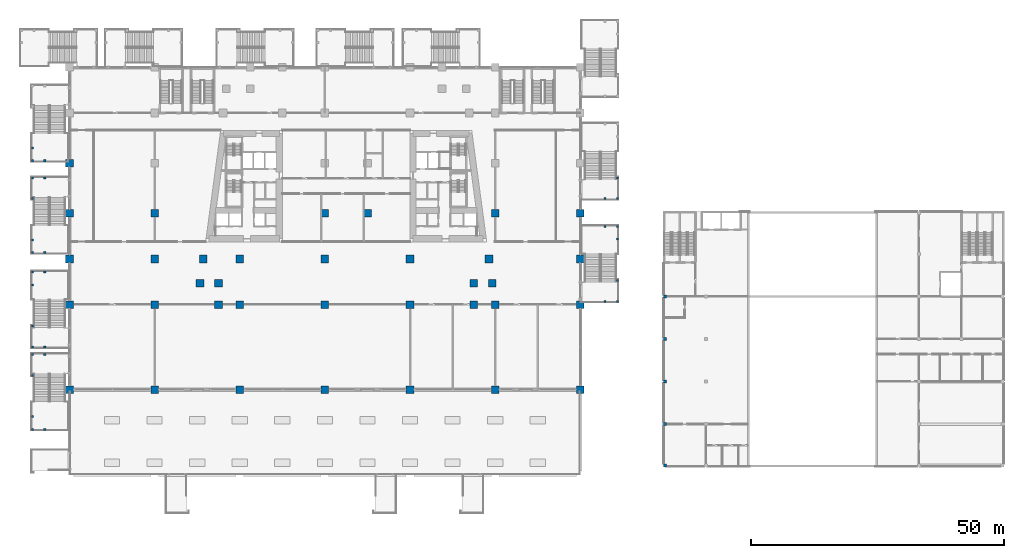
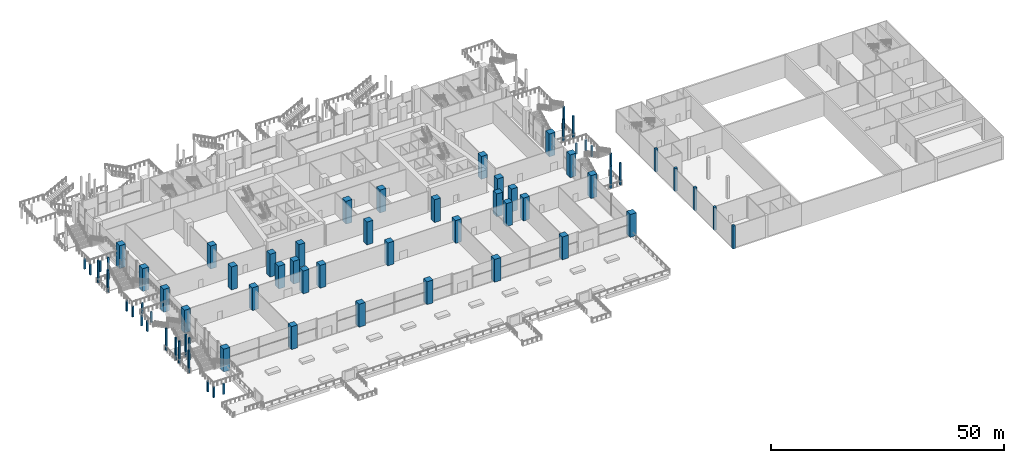
# One storey, part 1 of 47: 70 columns.
"""IFC4 building model written with IfcOpenShell, lengths in metres."""

from ifc_helpers import new_model, si_unit, direction, frame, origin, origin_2d, place, context, subcontext, project, spatial, rectangle, extrude, material, material_profile, profile_set, type_object, element, save


model = new_model("IFC4")

# Units and contexts
model_context = context("Model", 3, precision=1e-05, world=origin(), true_north=direction((0.0, 1.0)))
body_context = subcontext(model_context, "Body", "Model", "MODEL_VIEW")
ifc_project = project(units=[si_unit("LENGTHUNIT", "METRE"), si_unit("AREAUNIT", "SQUARE_METRE"), si_unit("VOLUMEUNIT", "CUBIC_METRE"), si_unit("PLANEANGLEUNIT", "RADIAN"), si_unit("MASSUNIT", "GRAM", prefix="KILO")], contexts=[model_context])

# Site, building, storey
site_placement = place(None, origin())
site = spatial("IfcSite", under=ifc_project, at=site_placement, CompositionType="ELEMENT")
building_placement = place(site_placement, origin())
building = spatial("IfcBuilding", under=site, at=building_placement, Name="Candeia Pilgrim Tower and Theatre", CompositionType="ELEMENT")
storey_placement = place(building_placement, frame((0.0, 0.0, 23.0)))
storey = spatial("IfcBuildingStorey", under=building, at=storey_placement, Name="L03", CompositionType="ELEMENT", Elevation=23.0)

# Columns
ifc_material_1 = material(Name="Concrete C40/50", Category="concrete")
ifc_material_profile_1 = material_profile(ifc_material_1, rectangle(XDim=0.39990234375, YDim=0.39990234375, at=origin_2d()))
ifc_profile_set_1 = profile_set([ifc_material_profile_1], Name="Concrete C40/50")
column_type_1 = type_object("IfcColumnType", Name="Escape stair column RC 400x400", PredefinedType="COLUMN", material=ifc_profile_set_1)
for number, where, z_axis, x_axis, name in (
    (1, (166.89990234375, 98.64990234375, 0.0), (0.0, 0.0, 1.0), (1.0, 0.0, 0.0), "External escape stair ES1 column N1.4"),
    (2, (166.89990234375, 102.75, 0.0), (0.0, 0.0, 1.0), (1.0, 0.0, 0.0), "External escape stair ES1 column N2.4"),
    (3, (164.47509765625, 98.64990234375, 0.0), (0.0, 0.0, 1.0), (1.0, 0.0, 0.0), "External escape stair ES1 column N3.4"),
):
    element("IfcColumn", number, at=place(storey_placement, frame(where, z_axis=z_axis, x_axis=x_axis)), inside=storey, type_object=column_type_1, Name=name, PredefinedType="COLUMN", context=body_context, shape_type="SweptSolid", body=[
        extrude(rectangle(XDim=0.39990234375, YDim=0.39990234375, at=origin_2d()), origin(), (0.0, 0.0, 1.0), 5.800048828125),
    ])
for number, where, z_axis, x_axis, name in (
    (4, (166.89990234375, 110.909912109375, 0.0), (0.0, 0.0, 1.0), (1.0, 0.0, 0.0), "External escape stair ES1 column F1.4"),
    (5, (166.89990234375, 113.409912109375, 0.0), (0.0, 0.0, 1.0), (1.0, 0.0, 0.0), "External escape stair ES1 column F2.4"),
    (6, (164.47509765625, 113.409912109375, 0.0), (0.0, 0.0, 1.0), (1.0, 0.0, 0.0), "External escape stair ES1 column F3.4"),
):
    element("IfcColumn", number, at=place(storey_placement, frame(where, z_axis=z_axis, x_axis=x_axis)), inside=storey, type_object=column_type_1, Name=name, PredefinedType="COLUMN", context=body_context, shape_type="SweptSolid", body=[
        extrude(rectangle(XDim=0.39990234375, YDim=0.39990234375, at=origin_2d()), origin(), (0.0, 0.0, 1.0), 2.800048828125),
    ])
for number, where, z_axis, x_axis, name in (
    (7, (51.5, 88.14990234375, 0.0), (0.0, 0.0, 1.0), (1.0, 0.0, 0.0), "External escape stair ES11 column N1.4"),
    (8, (51.5, 84.050048828125, 0.0), (0.0, 0.0, 1.0), (1.0, 0.0, 0.0), "External escape stair ES11 column N2.4"),
    (9, (53.925048828125, 88.14990234375, 0.0), (0.0, 0.0, 1.0), (1.0, 0.0, 0.0), "External escape stair ES11 column N3.4"),
):
    element("IfcColumn", number, at=place(storey_placement, frame(where, z_axis=z_axis, x_axis=x_axis)), inside=storey, type_object=column_type_1, Name=name, PredefinedType="COLUMN", context=body_context, shape_type="SweptSolid", body=[
        extrude(rectangle(XDim=0.39990234375, YDim=0.39990234375, at=origin_2d()), origin(), (0.0, 0.0, 1.0), 5.800048828125),
    ])
for number, where, z_axis, x_axis, name in (
    (10, (51.5, 75.889892578125, 0.0), (0.0, 0.0, 1.0), (1.0, 0.0, 0.0), "External escape stair ES11 column F1.4"),
    (11, (51.5, 73.389892578125, 0.0), (0.0, 0.0, 1.0), (1.0, 0.0, 0.0), "External escape stair ES11 column F2.4"),
    (12, (53.925048828125, 73.389892578125, 0.0), (0.0, 0.0, 1.0), (1.0, 0.0, 0.0), "External escape stair ES11 column F3.4"),
):
    element("IfcColumn", number, at=place(storey_placement, frame(where, z_axis=z_axis, x_axis=x_axis)), inside=storey, type_object=column_type_1, Name=name, PredefinedType="COLUMN", context=body_context, shape_type="SweptSolid", body=[
        extrude(rectangle(XDim=0.39990234375, YDim=0.39990234375, at=origin_2d()), origin(), (0.0, 0.0, 1.0), 2.800048828125),
    ])
for number, where, z_axis, x_axis, name in (
    (13, (51.5, 89.64990234375, 0.0), (0.0, 0.0, 1.0), (1.0, 0.0, 0.0), "External escape stair ES12 column N1.4"),
    (14, (51.5, 93.75, 0.0), (0.0, 0.0, 1.0), (1.0, 0.0, 0.0), "External escape stair ES12 column N2.4"),
    (15, (53.925048828125, 89.64990234375, 0.0), (0.0, 0.0, 1.0), (1.0, 0.0, 0.0), "External escape stair ES12 column N3.4"),
):
    element("IfcColumn", number, at=place(storey_placement, frame(where, z_axis=z_axis, x_axis=x_axis)), inside=storey, type_object=column_type_1, Name=name, PredefinedType="COLUMN", context=body_context, shape_type="SweptSolid", body=[
        extrude(rectangle(XDim=0.39990234375, YDim=0.39990234375, at=origin_2d()), origin(), (0.0, 0.0, 1.0), 5.800048828125),
    ])
for number, where, z_axis, x_axis, name in (
    (16, (51.5, 101.909912109375, 0.0), (0.0, 0.0, 1.0), (1.0, 0.0, 0.0), "External escape stair ES12 column F1.4"),
    (17, (51.5, 104.409912109375, 0.0), (0.0, 0.0, 1.0), (1.0, 0.0, 0.0), "External escape stair ES12 column F2.4"),
    (18, (53.925048828125, 104.409912109375, 0.0), (0.0, 0.0, 1.0), (1.0, 0.0, 0.0), "External escape stair ES12 column F3.4"),
    (19, (51.5, 128.889892578125, 0.0), (0.0, 0.0, 1.0), (1.0, 0.0, 0.0), "External escape stair ES13 column F1.4"),
    (20, (51.5, 126.389892578125, 0.0), (0.0, 0.0, 1.0), (1.0, 0.0, 0.0), "External escape stair ES13 column F2.4"),
    (21, (53.925048828125, 126.389892578125, 0.0), (0.0, 0.0, 1.0), (1.0, 0.0, 0.0), "External escape stair ES13 column F3.4"),
):
    element("IfcColumn", number, at=place(storey_placement, frame(where, z_axis=z_axis, x_axis=x_axis)), inside=storey, type_object=column_type_1, Name=name, PredefinedType="COLUMN", context=body_context, shape_type="SweptSolid", body=[
        extrude(rectangle(XDim=0.39990234375, YDim=0.39990234375, at=origin_2d()), origin(), (0.0, 0.0, 1.0), 2.800048828125),
    ])
for number, where, z_axis, x_axis, name in (
    (22, (166.89990234375, 118.89990234375, 0.0), (0.0, 0.0, 1.0), (1.0, 0.0, 0.0), "External escape stair ES14 column N1.4"),
    (23, (166.89990234375, 123.0, 0.0), (0.0, 0.0, 1.0), (1.0, 0.0, 0.0), "External escape stair ES14 column N2.4"),
    (24, (164.47509765625, 118.89990234375, 0.0), (0.0, 0.0, 1.0), (1.0, 0.0, 0.0), "External escape stair ES14 column N3.4"),
    (25, (51.5, 123.0, 0.0), (0.0, 0.0, 1.0), (1.0, 0.0, 0.0), "External escape stair ES15 column N1.4"),
    (26, (51.5, 118.89990234375, 0.0), (0.0, 0.0, 1.0), (1.0, 0.0, 0.0), "External escape stair ES15 column N2.4"),
    (27, (53.925048828125, 123.0, 0.0), (0.0, 0.0, 1.0), (1.0, 0.0, 0.0), "External escape stair ES15 column N3.4"),
):
    element("IfcColumn", number, at=place(storey_placement, frame(where, z_axis=z_axis, x_axis=x_axis)), inside=storey, type_object=column_type_1, Name=name, PredefinedType="COLUMN", context=body_context, shape_type="SweptSolid", body=[
        extrude(rectangle(XDim=0.39990234375, YDim=0.39990234375, at=origin_2d()), origin(), (0.0, 0.0, 1.0), 5.800048828125),
    ])
for number, where, z_axis, x_axis, name in (
    (28, (51.5, 110.739990234375, 0.0), (0.0, 0.0, 1.0), (1.0, 0.0, 0.0), "External escape stair ES15 column F1.4"),
    (29, (51.5, 108.239990234375, 0.0), (0.0, 0.0, 1.0), (1.0, 0.0, 0.0), "External escape stair ES15 column F2.4"),
    (30, (53.925048828125, 108.239990234375, 0.0), (0.0, 0.0, 1.0), (1.0, 0.0, 0.0), "External escape stair ES15 column F3.4"),
):
    element("IfcColumn", number, at=place(storey_placement, frame(where, z_axis=z_axis, x_axis=x_axis)), inside=storey, type_object=column_type_1, Name=name, PredefinedType="COLUMN", context=body_context, shape_type="SweptSolid", body=[
        extrude(rectangle(XDim=0.39990234375, YDim=0.39990234375, at=origin_2d()), origin(), (0.0, 0.0, 1.0), 2.800048828125),
    ])
ifc_material_2 = material(Name="Concrete C80/95", Category="concrete")
ifc_material_profile_2 = material_profile(ifc_material_2, rectangle(XDim=1.5, YDim=1.5, at=origin_2d()))
ifc_profile_set_2 = profile_set([ifc_material_profile_2], Name="Concrete C80/95")
column_type_2 = type_object("IfcColumnType", Name="RC 1500x1500 C80/95", PredefinedType="COLUMN", material=ifc_profile_set_2)
for number, where, z_axis, x_axis, name in (
    (31, (58.800048828125, 81.199951171875, 0.0), (0.0, 0.0, 1.0), (1.0, 0.0, 0.0), "Column P-0252-0168"),
    (32, (75.60009765625, 81.199951171875, 0.0), (0.0, 0.0, 1.0), (1.0, 0.0, 0.0), "Column P-0084-0168"),
    (33, (92.39990234375, 81.199951171875, 0.0), (0.0, 0.0, 1.0), (1.0, 0.0, 0.0), "Column P+0084-0168"),
    (34, (109.199951171875, 81.199951171875, 0.0), (0.0, 0.0, 1.0), (1.0, 0.0, 0.0), "Column P+0252-0168"),
    (35, (126.0, 81.199951171875, 0.0), (0.0, 0.0, 1.0), (1.0, 0.0, 0.0), "Column P+0420-0168"),
    (36, (142.800048828125, 81.199951171875, 0.0), (0.0, 0.0, 1.0), (1.0, 0.0, 0.0), "Column P+0588-0168"),
    (37, (159.60009765625, 81.199951171875, 0.0), (0.0, 0.0, 1.0), (1.0, 0.0, 0.0), "Column P+0756-0168"),
    (38, (58.800048828125, 98.0, 0.0), (0.0, 0.0, 1.0), (1.0, 0.0, 0.0), "Column P-0252+0000"),
    (39, (75.60009765625, 98.0, 0.0), (0.0, 0.0, 1.0), (1.0, 0.0, 0.0), "Column P-0084+0000"),
    (40, (88.199951171875, 98.0, 0.0), (0.0, 0.0, 1.0), (1.0, 0.0, 0.0), "Column P+0042+0000"),
    (41, (92.39990234375, 98.0, 0.0), (0.0, 0.0, 1.0), (1.0, 0.0, 0.0), "Column P+0084+0000"),
    (42, (109.199951171875, 98.0, 0.0), (0.0, 0.0, 1.0), (1.0, 0.0, 0.0), "Column P+0252+0000"),
    (43, (126.0, 98.0, 0.0), (0.0, 0.0, 1.0), (1.0, 0.0, 0.0), "Column P+0420+0000"),
    (44, (138.60009765625, 98.0, 0.0), (0.0, 0.0, 1.0), (1.0, 0.0, 0.0), "Column P+0546+0000"),
    (45, (142.800048828125, 98.0, 0.0), (0.0, 0.0, 1.0), (1.0, 0.0, 0.0), "Column P+0588+0000"),
    (46, (159.60009765625, 98.0, 0.0), (0.0, 0.0, 1.0), (1.0, 0.0, 0.0), "Column P+0756+0000"),
    (47, (84.5654296875, 102.199951171875, 0.0), (0.0, 0.0, 1.0), (1.0, 0.0, 0.0), "Column P+0006+0042"),
    (48, (88.199951171875, 102.199951171875, 0.0), (0.0, 0.0, 1.0), (1.0, 0.0, 0.0), "Column P+0042+0042"),
    (49, (138.60009765625, 102.199951171875, 0.0), (0.0, 0.0, 1.0), (1.0, 0.0, 0.0), "Column P+0546+0042"),
    (50, (142.234619140625, 102.199951171875, 0.0), (0.0, 0.0, 1.0), (1.0, 0.0, 0.0), "Column P+0582+0042"),
    (51, (58.800048828125, 107.0, 0.0), (0.0, 0.0, 1.0), (1.0, 0.0, 0.0), "Column P-0252+0090"),
    (52, (75.60009765625, 107.0, 0.0), (0.0, 0.0, 1.0), (1.0, 0.0, 0.0), "Column P-0084+0090"),
    (53, (85.21142578125, 107.0, 0.0), (0.0, 0.0, 1.0), (1.0, 0.0, 0.0), "Column P+0012+0090"),
    (54, (92.39990234375, 107.0, 0.0), (0.0, 0.0, 1.0), (1.0, 0.0, 0.0), "Column P+0084+0090"),
    (55, (109.199951171875, 107.0, 0.0), (0.0, 0.0, 1.0), (1.0, 0.0, 0.0), "Column P+0252+0090"),
    (56, (126.0, 107.0, 0.0), (0.0, 0.0, 1.0), (1.0, 0.0, 0.0), "Column P+0420+0090"),
    (57, (141.58837890625, 107.0, 0.0), (0.0, 0.0, 1.0), (1.0, 0.0, 0.0), "Column P+0576+0090"),
    (58, (159.60009765625, 107.0, 0.0), (0.0, 0.0, 1.0), (1.0, 0.0, 0.0), "Column P+0756+0090"),
    (59, (58.800048828125, 116.0, 0.0), (0.0, 0.0, 1.0), (1.0, 0.0, 0.0), "Column P-0252+0180"),
    (60, (75.60009765625, 116.0, 0.0), (0.0, 0.0, 1.0), (1.0, 0.0, 0.0), "Column P-0084+0180"),
    (61, (109.199951171875, 116.0, 0.0), (0.0, 0.0, 1.0), (1.0, 0.0, 0.0), "Column P+0252+0180"),
    (62, (117.60009765625, 116.0, 0.0), (0.0, 0.0, 1.0), (1.0, 0.0, 0.0), "Column P+0336+0180"),
    (63, (142.800048828125, 116.0, 0.0), (0.0, 0.0, 1.0), (1.0, 0.0, 0.0), "Column P+0588+0180"),
    (64, (159.60009765625, 116.0, 0.0), (0.0, 0.0, 1.0), (1.0, 0.0, 0.0), "Column P+0756+0180"),
    (65, (58.800048828125, 125.89990234375, 0.0), (0.0, 0.0, 1.0), (1.0, 0.0, 0.0), "Column P-0252+0279"),
):
    element("IfcColumn", number, at=place(storey_placement, frame(where, z_axis=z_axis, x_axis=x_axis)), inside=storey, type_object=column_type_2, Name=name, PredefinedType="COLUMN", context=body_context, shape_type="SweptSolid", body=[
        extrude(rectangle(XDim=1.5, YDim=1.5, at=origin_2d()), origin(), (0.0, 0.0, 1.0), 6.0),
    ])
ifc_material_profile_3 = material_profile(ifc_material_1, rectangle(XDim=0.60009765625, YDim=0.60009765625, at=origin_2d()))
ifc_profile_set_3 = profile_set([ifc_material_profile_3], Name="Concrete C40/50")
column_type_3 = type_object("IfcColumnType", Name="Theatre column 600x600", PredefinedType="COLUMN", material=ifc_profile_set_3)
for number, where, z_axis, x_axis, name in (
    (66, (176.300048828125, 66.300048828125, -0.300048828125), (0.0, 0.0, 1.0), (1.0, 0.0, 0.0), "Column TC-A1 L03"),
    (67, (176.300048828125, 74.39990234375, -0.300048828125), (0.0, 0.0, 1.0), (1.0, 0.0, 0.0), "Column TC-B1 L03"),
    (68, (176.300048828125, 82.800048828125, -0.300048828125), (0.0, 0.0, 1.0), (1.0, 0.0, 0.0), "Column TC-C1 L03"),
    (69, (176.300048828125, 91.199951171875, -0.300048828125), (0.0, 0.0, 1.0), (1.0, 0.0, 0.0), "Column TC-D1 L03"),
    (70, (176.300048828125, 99.60009765625, -0.300048828125), (0.0, 0.0, 1.0), (1.0, 0.0, 0.0), "Column TC-E1 L03"),
):
    element("IfcColumn", number, at=place(storey_placement, frame(where, z_axis=z_axis, x_axis=x_axis)), inside=storey, type_object=column_type_3, Name=name, PredefinedType="COLUMN", context=body_context, shape_type="SweptSolid", body=[
        extrude(rectangle(XDim=0.60009765625, YDim=0.60009765625, at=origin_2d()), origin(), (0.0, 0.0, 1.0), 6.0),
    ])

save(model, "model.ifc")
